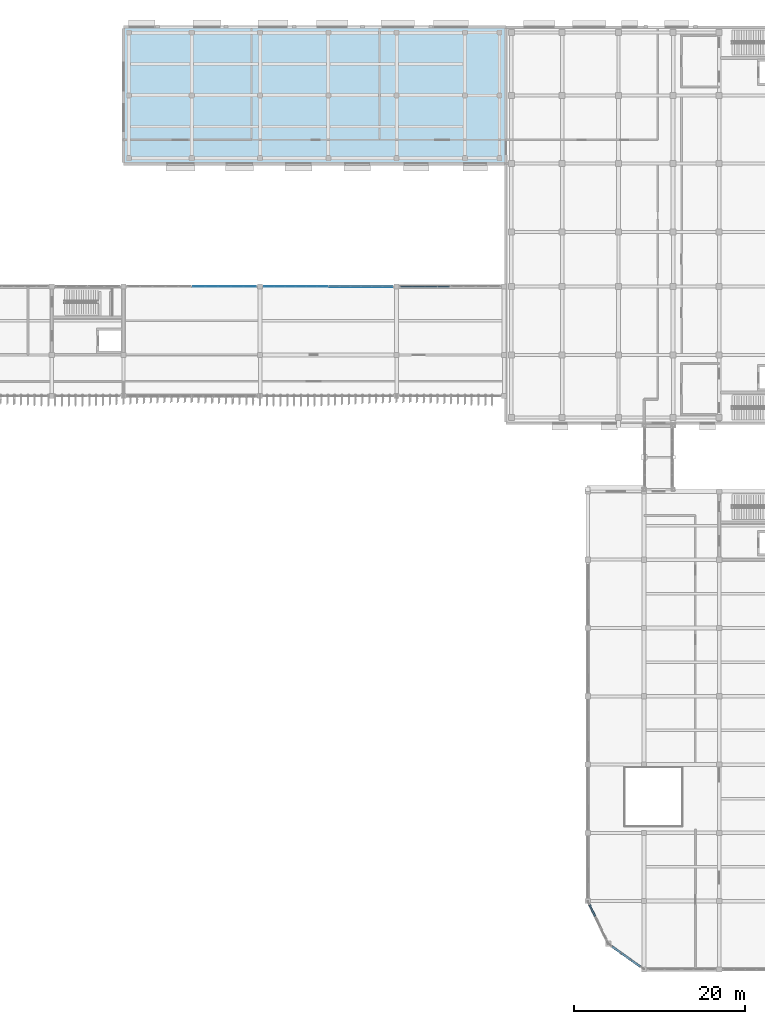
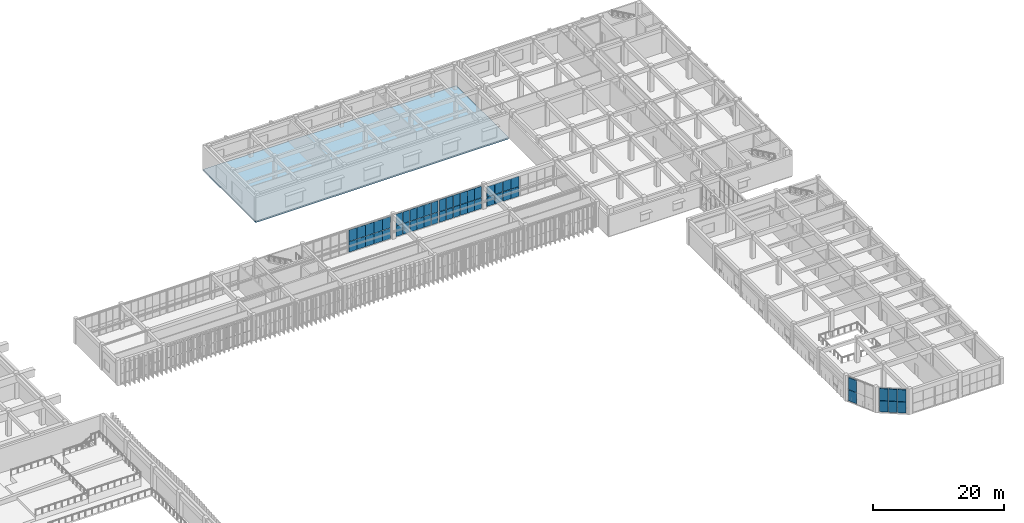
# One storey, part 33 of 64: 50 plates, 1 slab, 6 elements without a shape of their own.
"""IFC4 building model written with IfcOpenShell, lengths in metres."""

from ifc_helpers import new_model, si_unit, direction, frame, origin, origin_2d, place, context, subcontext, project, spatial, polyline, rectangle, outline, extrude, material, layer, layer_set, type_object, element, aggregate, save


model = new_model("IFC4")

# Units and contexts
model_context = context("Model", 3, precision=1e-05, world=origin(), true_north=direction((0.0, 1.0)))
body_context = subcontext(model_context, "Body", "Model", "MODEL_VIEW")
ifc_project = project(units=[si_unit("LENGTHUNIT", "METRE"), si_unit("AREAUNIT", "SQUARE_METRE"), si_unit("VOLUMEUNIT", "CUBIC_METRE"), si_unit("PLANEANGLEUNIT", "RADIAN"), si_unit("MASSUNIT", "GRAM", prefix="KILO")], contexts=[model_context])

# Site, building, storey
site_placement = place(None, origin())
site = spatial("IfcSite", under=ifc_project, at=site_placement, CompositionType="ELEMENT")
building_placement = place(site_placement, origin())
building = spatial("IfcBuilding", under=site, at=building_placement, Name="Cinchona Park Media Centre", CompositionType="ELEMENT")
storey_placement = place(building_placement, frame((0.0, 0.0, 5.39990234375)))
storey = spatial("IfcBuildingStorey", under=building, at=storey_placement, Name="L01", CompositionType="ELEMENT", Elevation=5.39990234375)

# Curtain wall, plates
ifc_material_1 = material(Name="Aluminium Curtain Wall Framing", Category="aluminium")
ifc_layer_1 = layer(ifc_material_1, 0.300048828125)
ifc_layer_set_1 = layer_set([ifc_layer_1], Name="Aluminium Curtain Wall Framing")
curtain_wall_type_1 = type_object("IfcCurtainWallType", Name="CW-CW09", PredefinedType="USERDEFINED", material=ifc_layer_set_1)
curtain_wall_1_placement = place(storey_placement, origin())
curtain_wall_1 = element("IfcCurtainWall", 1, at=curtain_wall_1_placement, inside=storey, type_object=curtain_wall_type_1, Name="Curtain Wall CW09 L01", ObjectType="UNITISED CURTAIN WALL", PredefinedType="USERDEFINED")
ifc_material_2 = material(Name="Laminated Solar-Control Double Glazing", Category="glass")
ifc_layer_2 = layer(ifc_material_2, 0.080078125)
ifc_layer_set_2 = layer_set([ifc_layer_2], Name="Laminated Solar-Control Double Glazing")
plate_type_1 = type_object("IfcPlateType", Name="CWPANEL-PNL07", PredefinedType="CURTAIN_PANEL", material=ifc_layer_set_2)
plate_1_placement = place(storey_placement, frame((103.6474609375, 87.60009765625, 0.1201171875), z_axis=(0.0, 0.0, 1.0), x_axis=(1.0, 0.0, 0.0)))
plate_1 = element("IfcPlate", 2, at=plate_1_placement, type_object=plate_type_1, Name="CW09 panel 1.1", PredefinedType="CURTAIN_PANEL", context=body_context, shape_type="SweptSolid", body=[
    extrude(rectangle(XDim=1.39501953125, YDim=0.080078125, at=origin_2d()), origin(), (0.0, 0.0, 1.0), 1.928955078125),
])
plate_2_placement = place(storey_placement, frame((103.6474609375, 87.60009765625, 2.119140625), z_axis=(0.0, 0.0, 1.0), x_axis=(1.0, 0.0, 0.0)))
plate_2 = element("IfcPlate", 3, at=plate_2_placement, type_object=plate_type_1, Name="CW09 panel 1.2", PredefinedType="CURTAIN_PANEL", context=body_context, shape_type="SweptSolid", body=[
    extrude(rectangle(XDim=1.39501953125, YDim=0.080078125, at=origin_2d()), origin(), (0.0, 0.0, 1.0), 2.09912109375),
])
plate_3_placement = place(storey_placement, frame((105.1298828125, 87.60009765625, 0.1201171875), z_axis=(0.0, 0.0, 1.0), x_axis=(1.0, 0.0, 0.0)))
plate_3 = element("IfcPlate", 4, at=plate_3_placement, type_object=plate_type_1, Name="CW09 panel 2.1", PredefinedType="CURTAIN_PANEL", context=body_context, shape_type="SweptSolid", body=[
    extrude(rectangle(XDim=1.429931640625, YDim=0.080078125, at=origin_2d()), origin(), (0.0, 0.0, 1.0), 1.928955078125),
])
plate_4_placement = place(storey_placement, frame((105.1298828125, 87.60009765625, 2.119140625), z_axis=(0.0, 0.0, 1.0), x_axis=(1.0, 0.0, 0.0)))
plate_4 = element("IfcPlate", 5, at=plate_4_placement, type_object=plate_type_1, Name="CW09 panel 2.2", PredefinedType="CURTAIN_PANEL", context=body_context, shape_type="SweptSolid", body=[
    extrude(rectangle(XDim=1.429931640625, YDim=0.080078125, at=origin_2d()), origin(), (0.0, 0.0, 1.0), 2.09912109375),
])
plate_5_placement = place(storey_placement, frame((106.6298828125, 87.60009765625, 0.1201171875), z_axis=(0.0, 0.0, 1.0), x_axis=(1.0, 0.0, 0.0)))
plate_5 = element("IfcPlate", 6, at=plate_5_placement, type_object=plate_type_1, Name="CW09 panel 3.1", PredefinedType="CURTAIN_PANEL", context=body_context, shape_type="SweptSolid", body=[
    extrude(rectangle(XDim=1.429931640625, YDim=0.080078125, at=origin_2d()), origin(), (0.0, 0.0, 1.0), 1.928955078125),
])
plate_6_placement = place(storey_placement, frame((106.6298828125, 87.60009765625, 2.119140625), z_axis=(0.0, 0.0, 1.0), x_axis=(1.0, 0.0, 0.0)))
plate_6 = element("IfcPlate", 7, at=plate_6_placement, type_object=plate_type_1, Name="CW09 panel 3.2", PredefinedType="CURTAIN_PANEL", context=body_context, shape_type="SweptSolid", body=[
    extrude(rectangle(XDim=1.429931640625, YDim=0.080078125, at=origin_2d()), origin(), (0.0, 0.0, 1.0), 2.09912109375),
])
plate_7_placement = place(storey_placement, frame((108.1298828125, 87.60009765625, 0.1201171875), z_axis=(0.0, 0.0, 1.0), x_axis=(1.0, 0.0, 0.0)))
plate_7 = element("IfcPlate", 8, at=plate_7_placement, type_object=plate_type_1, Name="CW09 panel 4.1", PredefinedType="CURTAIN_PANEL", context=body_context, shape_type="SweptSolid", body=[
    extrude(rectangle(XDim=1.429931640625, YDim=0.080078125, at=origin_2d()), origin(), (0.0, 0.0, 1.0), 1.928955078125),
])
plate_8_placement = place(storey_placement, frame((108.1298828125, 87.60009765625, 2.119140625), z_axis=(0.0, 0.0, 1.0), x_axis=(1.0, 0.0, 0.0)))
plate_8 = element("IfcPlate", 9, at=plate_8_placement, type_object=plate_type_1, Name="CW09 panel 4.2", PredefinedType="CURTAIN_PANEL", context=body_context, shape_type="SweptSolid", body=[
    extrude(rectangle(XDim=1.429931640625, YDim=0.080078125, at=origin_2d()), origin(), (0.0, 0.0, 1.0), 2.09912109375),
])
plate_9_placement = place(storey_placement, frame((109.612548828125, 87.60009765625, 0.1201171875), z_axis=(0.0, 0.0, 1.0), x_axis=(1.0, 0.0, 0.0)))
plate_9 = element("IfcPlate", 10, at=plate_9_placement, type_object=plate_type_1, Name="CW09 panel 5.1", PredefinedType="CURTAIN_PANEL", context=body_context, shape_type="SweptSolid", body=[
    extrude(rectangle(XDim=1.39501953125, YDim=0.080078125, at=origin_2d()), origin(), (0.0, 0.0, 1.0), 1.928955078125),
])
plate_10_placement = place(storey_placement, frame((109.612548828125, 87.60009765625, 2.119140625), z_axis=(0.0, 0.0, 1.0), x_axis=(1.0, 0.0, 0.0)))
plate_10 = element("IfcPlate", 11, at=plate_10_placement, type_object=plate_type_1, Name="CW09 panel 5.2", PredefinedType="CURTAIN_PANEL", context=body_context, shape_type="SweptSolid", body=[
    extrude(rectangle(XDim=1.39501953125, YDim=0.080078125, at=origin_2d()), origin(), (0.0, 0.0, 1.0), 2.09912109375),
])
aggregate(curtain_wall_1, [plate_1, plate_2, plate_3, plate_4, plate_5, plate_6, plate_7, plate_8, plate_9, plate_10])

ifc_material_3 = material(Name="Aluminium Curtain Wall Framing", Category="aluminium")
ifc_layer_3 = layer(ifc_material_3, 0.179931640625)
ifc_layer_set_3 = layer_set([ifc_layer_3], Name="Aluminium Curtain Wall Framing")
curtain_wall_type_2 = type_object("IfcCurtainWallType", Name="CW-CW01", PredefinedType="USERDEFINED", material=ifc_layer_set_3)
curtain_wall_2_placement = place(storey_placement, origin())
curtain_wall_2 = element("IfcCurtainWall", 12, at=curtain_wall_2_placement, inside=storey, type_object=curtain_wall_type_2, Name="Curtain Wall CW01 L01", ObjectType="UNITISED CURTAIN WALL", PredefinedType="USERDEFINED")
ifc_material_4 = material(Name="Insulated Acoustic Aluminium-Glass Spandrel Cassette", Category="aluminium")
ifc_layer_4 = layer(ifc_material_4, 0.090087890625)
ifc_layer_set_4 = layer_set([ifc_layer_4], Name="Insulated Acoustic Aluminium-Glass Spandrel Cassette")
plate_type_2 = type_object("IfcPlateType", Name="CWPANEL-PNL08", PredefinedType="CURTAIN_PANEL", material=ifc_layer_set_4)
plate_11_placement = place(storey_placement, frame((111.861328125, 87.60009765625, 0.115234375), z_axis=(0.0, 0.0, 1.0), x_axis=(1.0, 0.0, 0.0)))
plate_11 = element("IfcPlate", 13, at=plate_11_placement, type_object=plate_type_2, Name="CW01 panel 1.1", PredefinedType="CURTAIN_PANEL", context=body_context, shape_type="SweptSolid", body=[
    extrude(rectangle(XDim=1.152587890625, YDim=0.090087890625, at=origin_2d()), origin(), (0.0, 0.0, 1.0), 1.96044921875),
])
plate_12_placement = place(storey_placement, frame((111.861328125, 87.60009765625, 2.140625), z_axis=(0.0, 0.0, 1.0), x_axis=(1.0, 0.0, 0.0)))
plate_12 = element("IfcPlate", 14, at=plate_12_placement, type_object=plate_type_2, Name="CW01 panel 1.2", PredefinedType="CURTAIN_PANEL", context=body_context, shape_type="SweptSolid", body=[
    extrude(rectangle(XDim=1.152587890625, YDim=0.090087890625, at=origin_2d()), origin(), (0.0, 0.0, 1.0), 2.131591796875),
])
plate_13_placement = place(storey_placement, frame((113.094970703125, 87.60009765625, 0.115234375), z_axis=(0.0, 0.0, 1.0), x_axis=(1.0, 0.0, 0.0)))
plate_13 = element("IfcPlate", 15, at=plate_13_placement, type_object=plate_type_2, Name="CW01 panel 2.1", PredefinedType="CURTAIN_PANEL", context=body_context, shape_type="SweptSolid", body=[
    extrude(rectangle(XDim=1.18505859375, YDim=0.090087890625, at=origin_2d()), origin(), (0.0, 0.0, 1.0), 1.96044921875),
])
plate_14_placement = place(storey_placement, frame((113.094970703125, 87.60009765625, 2.140625), z_axis=(0.0, 0.0, 1.0), x_axis=(1.0, 0.0, 0.0)))
plate_14 = element("IfcPlate", 16, at=plate_14_placement, type_object=plate_type_2, Name="CW01 panel 2.2", PredefinedType="CURTAIN_PANEL", context=body_context, shape_type="SweptSolid", body=[
    extrude(rectangle(XDim=1.18505859375, YDim=0.090087890625, at=origin_2d()), origin(), (0.0, 0.0, 1.0), 2.131591796875),
])
plate_15_placement = place(storey_placement, frame((114.344970703125, 87.60009765625, 0.115234375), z_axis=(0.0, 0.0, 1.0), x_axis=(1.0, 0.0, 0.0)))
plate_15 = element("IfcPlate", 17, at=plate_15_placement, type_object=plate_type_2, Name="CW01 panel 3.1", PredefinedType="CURTAIN_PANEL", context=body_context, shape_type="SweptSolid", body=[
    extrude(rectangle(XDim=1.18505859375, YDim=0.090087890625, at=origin_2d()), origin(), (0.0, 0.0, 1.0), 1.96044921875),
])
plate_16_placement = place(storey_placement, frame((114.344970703125, 87.60009765625, 2.140625), z_axis=(0.0, 0.0, 1.0), x_axis=(1.0, 0.0, 0.0)))
plate_16 = element("IfcPlate", 18, at=plate_16_placement, type_object=plate_type_2, Name="CW01 panel 3.2", PredefinedType="CURTAIN_PANEL", context=body_context, shape_type="SweptSolid", body=[
    extrude(rectangle(XDim=1.18505859375, YDim=0.090087890625, at=origin_2d()), origin(), (0.0, 0.0, 1.0), 2.131591796875),
])
plate_17_placement = place(storey_placement, frame((115.594970703125, 87.60009765625, 0.115234375), z_axis=(0.0, 0.0, 1.0), x_axis=(1.0, 0.0, 0.0)))
plate_17 = element("IfcPlate", 19, at=plate_17_placement, type_object=plate_type_2, Name="CW01 panel 4.1", PredefinedType="CURTAIN_PANEL", context=body_context, shape_type="SweptSolid", body=[
    extrude(rectangle(XDim=1.18505859375, YDim=0.090087890625, at=origin_2d()), origin(), (0.0, 0.0, 1.0), 1.96044921875),
])
plate_18_placement = place(storey_placement, frame((115.594970703125, 87.60009765625, 2.140625), z_axis=(0.0, 0.0, 1.0), x_axis=(1.0, 0.0, 0.0)))
plate_18 = element("IfcPlate", 20, at=plate_18_placement, type_object=plate_type_2, Name="CW01 panel 4.2", PredefinedType="CURTAIN_PANEL", context=body_context, shape_type="SweptSolid", body=[
    extrude(rectangle(XDim=1.18505859375, YDim=0.090087890625, at=origin_2d()), origin(), (0.0, 0.0, 1.0), 2.131591796875),
])
plate_19_placement = place(storey_placement, frame((116.844970703125, 87.60009765625, 0.115234375), z_axis=(0.0, 0.0, 1.0), x_axis=(1.0, 0.0, 0.0)))
plate_19 = element("IfcPlate", 21, at=plate_19_placement, type_object=plate_type_2, Name="CW01 panel 5.1", PredefinedType="CURTAIN_PANEL", context=body_context, shape_type="SweptSolid", body=[
    extrude(rectangle(XDim=1.18505859375, YDim=0.090087890625, at=origin_2d()), origin(), (0.0, 0.0, 1.0), 1.96044921875),
])
plate_20_placement = place(storey_placement, frame((116.844970703125, 87.60009765625, 2.140625), z_axis=(0.0, 0.0, 1.0), x_axis=(1.0, 0.0, 0.0)))
plate_20 = element("IfcPlate", 22, at=plate_20_placement, type_object=plate_type_2, Name="CW01 panel 5.2", PredefinedType="CURTAIN_PANEL", context=body_context, shape_type="SweptSolid", body=[
    extrude(rectangle(XDim=1.18505859375, YDim=0.090087890625, at=origin_2d()), origin(), (0.0, 0.0, 1.0), 2.131591796875),
])
plate_21_placement = place(storey_placement, frame((118.078857421875, 87.60009765625, 0.115234375), z_axis=(0.0, 0.0, 1.0), x_axis=(1.0, 0.0, 0.0)))
plate_21 = element("IfcPlate", 23, at=plate_21_placement, type_object=plate_type_2, Name="CW01 panel 6.1", PredefinedType="CURTAIN_PANEL", context=body_context, shape_type="SweptSolid", body=[
    extrude(rectangle(XDim=1.152587890625, YDim=0.090087890625, at=origin_2d()), origin(), (0.0, 0.0, 1.0), 1.96044921875),
])
plate_22_placement = place(storey_placement, frame((118.078857421875, 87.60009765625, 2.140625), z_axis=(0.0, 0.0, 1.0), x_axis=(1.0, 0.0, 0.0)))
plate_22 = element("IfcPlate", 24, at=plate_22_placement, type_object=plate_type_2, Name="CW01 panel 6.2", PredefinedType="CURTAIN_PANEL", context=body_context, shape_type="SweptSolid", body=[
    extrude(rectangle(XDim=1.152587890625, YDim=0.090087890625, at=origin_2d()), origin(), (0.0, 0.0, 1.0), 2.131591796875),
])
aggregate(curtain_wall_2, [plate_11, plate_12, plate_13, plate_14, plate_15, plate_16, plate_17, plate_18, plate_19, plate_20, plate_21, plate_22])

ifc_material_5 = material(Name="Aluminium Curtain Wall Framing", Category="aluminium")
ifc_layer_5 = layer(ifc_material_5, 0.195068359375)
ifc_layer_set_5 = layer_set([ifc_layer_5], Name="Aluminium Curtain Wall Framing")
curtain_wall_type_3 = type_object("IfcCurtainWallType", Name="CW-CW02", PredefinedType="USERDEFINED", material=ifc_layer_set_5)
curtain_wall_3_placement = place(storey_placement, origin())
curtain_wall_3 = element("IfcCurtainWall", 25, at=curtain_wall_3_placement, inside=storey, type_object=curtain_wall_type_3, Name="Curtain Wall CW02 L01", ObjectType="UNITISED CURTAIN WALL", PredefinedType="USERDEFINED")
ifc_material_6 = material(Name="Insulated Acoustic Aluminium-Glass Spandrel Cassette", Category="aluminium")
ifc_layer_6 = layer(ifc_material_6, 0.110107421875)
ifc_layer_set_6 = layer_set([ifc_layer_6], Name="Insulated Acoustic Aluminium-Glass Spandrel Cassette")
plate_type_3 = type_object("IfcPlateType", Name="CWPANEL-PNL10", PredefinedType="CURTAIN_PANEL", material=ifc_layer_set_6)
plate_23_placement = place(storey_placement, frame((119.521240234375, 87.60009765625, 0.115234375), z_axis=(0.0, 0.0, 1.0), x_axis=(1.0, 0.0, 0.0)))
plate_23 = element("IfcPlate", 26, at=plate_23_placement, type_object=plate_type_3, Name="CW02 panel 1.1", PredefinedType="CURTAIN_PANEL", context=body_context, shape_type="SweptSolid", body=[
    extrude(rectangle(XDim=1.152587890625, YDim=0.110107421875, at=origin_2d()), origin(), (0.0, 0.0, 1.0), 1.96044921875),
])
plate_24_placement = place(storey_placement, frame((119.521240234375, 87.60009765625, 2.140625), z_axis=(0.0, 0.0, 1.0), x_axis=(1.0, 0.0, 0.0)))
plate_24 = element("IfcPlate", 27, at=plate_24_placement, type_object=plate_type_3, Name="CW02 panel 1.2", PredefinedType="CURTAIN_PANEL", context=body_context, shape_type="SweptSolid", body=[
    extrude(rectangle(XDim=1.152587890625, YDim=0.110107421875, at=origin_2d()), origin(), (0.0, 0.0, 1.0), 2.131591796875),
])
plate_25_placement = place(storey_placement, frame((120.7548828125, 87.60009765625, 0.115234375), z_axis=(0.0, 0.0, 1.0), x_axis=(1.0, 0.0, 0.0)))
plate_25 = element("IfcPlate", 28, at=plate_25_placement, type_object=plate_type_3, Name="CW02 panel 2.1", PredefinedType="CURTAIN_PANEL", context=body_context, shape_type="SweptSolid", body=[
    extrude(rectangle(XDim=1.18505859375, YDim=0.110107421875, at=origin_2d()), origin(), (0.0, 0.0, 1.0), 1.96044921875),
])
plate_26_placement = place(storey_placement, frame((120.7548828125, 87.60009765625, 2.140625), z_axis=(0.0, 0.0, 1.0), x_axis=(1.0, 0.0, 0.0)))
plate_26 = element("IfcPlate", 29, at=plate_26_placement, type_object=plate_type_3, Name="CW02 panel 2.2", PredefinedType="CURTAIN_PANEL", context=body_context, shape_type="SweptSolid", body=[
    extrude(rectangle(XDim=1.18505859375, YDim=0.110107421875, at=origin_2d()), origin(), (0.0, 0.0, 1.0), 2.131591796875),
])
plate_27_placement = place(storey_placement, frame((122.0048828125, 87.60009765625, 0.115234375), z_axis=(0.0, 0.0, 1.0), x_axis=(1.0, 0.0, 0.0)))
plate_27 = element("IfcPlate", 30, at=plate_27_placement, type_object=plate_type_3, Name="CW02 panel 3.1", PredefinedType="CURTAIN_PANEL", context=body_context, shape_type="SweptSolid", body=[
    extrude(rectangle(XDim=1.18505859375, YDim=0.110107421875, at=origin_2d()), origin(), (0.0, 0.0, 1.0), 1.96044921875),
])
plate_28_placement = place(storey_placement, frame((122.0048828125, 87.60009765625, 2.140625), z_axis=(0.0, 0.0, 1.0), x_axis=(1.0, 0.0, 0.0)))
plate_28 = element("IfcPlate", 31, at=plate_28_placement, type_object=plate_type_3, Name="CW02 panel 3.2", PredefinedType="CURTAIN_PANEL", context=body_context, shape_type="SweptSolid", body=[
    extrude(rectangle(XDim=1.18505859375, YDim=0.110107421875, at=origin_2d()), origin(), (0.0, 0.0, 1.0), 2.131591796875),
])
plate_29_placement = place(storey_placement, frame((123.2548828125, 87.60009765625, 0.115234375), z_axis=(0.0, 0.0, 1.0), x_axis=(1.0, 0.0, 0.0)))
plate_29 = element("IfcPlate", 32, at=plate_29_placement, type_object=plate_type_3, Name="CW02 panel 4.1", PredefinedType="CURTAIN_PANEL", context=body_context, shape_type="SweptSolid", body=[
    extrude(rectangle(XDim=1.18505859375, YDim=0.110107421875, at=origin_2d()), origin(), (0.0, 0.0, 1.0), 1.96044921875),
])
plate_30_placement = place(storey_placement, frame((123.2548828125, 87.60009765625, 2.140625), z_axis=(0.0, 0.0, 1.0), x_axis=(1.0, 0.0, 0.0)))
plate_30 = element("IfcPlate", 33, at=plate_30_placement, type_object=plate_type_3, Name="CW02 panel 4.2", PredefinedType="CURTAIN_PANEL", context=body_context, shape_type="SweptSolid", body=[
    extrude(rectangle(XDim=1.18505859375, YDim=0.110107421875, at=origin_2d()), origin(), (0.0, 0.0, 1.0), 2.131591796875),
])
plate_31_placement = place(storey_placement, frame((124.5048828125, 87.60009765625, 0.115234375), z_axis=(0.0, 0.0, 1.0), x_axis=(1.0, 0.0, 0.0)))
plate_31 = element("IfcPlate", 34, at=plate_31_placement, type_object=plate_type_3, Name="CW02 panel 5.1", PredefinedType="CURTAIN_PANEL", context=body_context, shape_type="SweptSolid", body=[
    extrude(rectangle(XDim=1.18505859375, YDim=0.110107421875, at=origin_2d()), origin(), (0.0, 0.0, 1.0), 1.96044921875),
])
plate_32_placement = place(storey_placement, frame((124.5048828125, 87.60009765625, 2.140625), z_axis=(0.0, 0.0, 1.0), x_axis=(1.0, 0.0, 0.0)))
plate_32 = element("IfcPlate", 35, at=plate_32_placement, type_object=plate_type_3, Name="CW02 panel 5.2", PredefinedType="CURTAIN_PANEL", context=body_context, shape_type="SweptSolid", body=[
    extrude(rectangle(XDim=1.18505859375, YDim=0.110107421875, at=origin_2d()), origin(), (0.0, 0.0, 1.0), 2.131591796875),
])
plate_33_placement = place(storey_placement, frame((125.73876953125, 87.60009765625, 0.115234375), z_axis=(0.0, 0.0, 1.0), x_axis=(1.0, 0.0, 0.0)))
plate_33 = element("IfcPlate", 36, at=plate_33_placement, type_object=plate_type_3, Name="CW02 panel 6.1", PredefinedType="CURTAIN_PANEL", context=body_context, shape_type="SweptSolid", body=[
    extrude(rectangle(XDim=1.152587890625, YDim=0.110107421875, at=origin_2d()), origin(), (0.0, 0.0, 1.0), 1.96044921875),
])
plate_34_placement = place(storey_placement, frame((125.73876953125, 87.60009765625, 2.140625), z_axis=(0.0, 0.0, 1.0), x_axis=(1.0, 0.0, 0.0)))
plate_34 = element("IfcPlate", 37, at=plate_34_placement, type_object=plate_type_3, Name="CW02 panel 6.2", PredefinedType="CURTAIN_PANEL", context=body_context, shape_type="SweptSolid", body=[
    extrude(rectangle(XDim=1.152587890625, YDim=0.110107421875, at=origin_2d()), origin(), (0.0, 0.0, 1.0), 2.131591796875),
])
aggregate(curtain_wall_3, [plate_23, plate_24, plate_25, plate_26, plate_27, plate_28, plate_29, plate_30, plate_31, plate_32, plate_33, plate_34])

ifc_material_7 = material(Name="Aluminium Curtain Wall Framing", Category="aluminium")
ifc_layer_7 = layer(ifc_material_7, 0.2099609375)
ifc_layer_set_7 = layer_set([ifc_layer_7], Name="Aluminium Curtain Wall Framing")
curtain_wall_type_4 = type_object("IfcCurtainWallType", Name="CW-CW03", PredefinedType="USERDEFINED", material=ifc_layer_set_7)
curtain_wall_4_placement = place(storey_placement, origin())
curtain_wall_4 = element("IfcCurtainWall", 38, at=curtain_wall_4_placement, inside=storey, type_object=curtain_wall_type_4, Name="Curtain Wall CW03 L01", ObjectType="UNITISED CURTAIN WALL", PredefinedType="USERDEFINED")
ifc_material_8 = material(Name="Insulated Acoustic Aluminium-Glass Spandrel Cassette", Category="aluminium")
ifc_layer_8 = layer(ifc_material_8, 0.1201171875)
ifc_layer_set_8 = layer_set([ifc_layer_8], Name="Insulated Acoustic Aluminium-Glass Spandrel Cassette")
plate_type_4 = type_object("IfcPlateType", Name="CWPANEL-PNL11", PredefinedType="CURTAIN_PANEL", material=ifc_layer_set_8)
plate_35_placement = place(storey_placement, frame((127.9638671875, 87.60009765625, 0.125), z_axis=(0.0, 0.0, 1.0), x_axis=(1.0, 0.0, 0.0)))
plate_35 = element("IfcPlate", 39, at=plate_35_placement, type_object=plate_type_4, Name="CW03 panel 1.1", PredefinedType="CURTAIN_PANEL", context=body_context, shape_type="SweptSolid", body=[
    extrude(rectangle(XDim=1.33740234375, YDim=0.1201171875, at=origin_2d()), origin(), (0.0, 0.0, 1.0), 1.73046875),
])
plate_36_placement = place(storey_placement, frame((127.9638671875, 87.60009765625, 1.9306640625), z_axis=(0.0, 0.0, 1.0), x_axis=(1.0, 0.0, 0.0)))
plate_36 = element("IfcPlate", 40, at=plate_36_placement, type_object=plate_type_4, Name="CW03 panel 1.2", PredefinedType="CURTAIN_PANEL", context=body_context, shape_type="SweptSolid", body=[
    extrude(rectangle(XDim=1.33740234375, YDim=0.1201171875, at=origin_2d()), origin(), (0.0, 0.0, 1.0), 1.884521484375),
])
plate_37_placement = place(storey_placement, frame((129.39501953125, 87.60009765625, 0.125), z_axis=(0.0, 0.0, 1.0), x_axis=(1.0, 0.0, 0.0)))
plate_37 = element("IfcPlate", 41, at=plate_37_placement, type_object=plate_type_4, Name="CW03 panel 2.1", PredefinedType="CURTAIN_PANEL", context=body_context, shape_type="SweptSolid", body=[
    extrude(rectangle(XDim=1.375, YDim=0.1201171875, at=origin_2d()), origin(), (0.0, 0.0, 1.0), 1.73046875),
])
plate_38_placement = place(storey_placement, frame((129.39501953125, 87.60009765625, 1.9306640625), z_axis=(0.0, 0.0, 1.0), x_axis=(1.0, 0.0, 0.0)))
plate_38 = element("IfcPlate", 42, at=plate_38_placement, type_object=plate_type_4, Name="CW03 panel 2.2", PredefinedType="CURTAIN_PANEL", context=body_context, shape_type="SweptSolid", body=[
    extrude(rectangle(XDim=1.375, YDim=0.1201171875, at=origin_2d()), origin(), (0.0, 0.0, 1.0), 1.884521484375),
])
plate_39_placement = place(storey_placement, frame((130.844970703125, 87.60009765625, 0.125), z_axis=(0.0, 0.0, 1.0), x_axis=(1.0, 0.0, 0.0)))
plate_39 = element("IfcPlate", 43, at=plate_39_placement, type_object=plate_type_4, Name="CW03 panel 3.1", PredefinedType="CURTAIN_PANEL", context=body_context, shape_type="SweptSolid", body=[
    extrude(rectangle(XDim=1.375, YDim=0.1201171875, at=origin_2d()), origin(), (0.0, 0.0, 1.0), 1.73046875),
])
plate_40_placement = place(storey_placement, frame((130.844970703125, 87.60009765625, 1.9306640625), z_axis=(0.0, 0.0, 1.0), x_axis=(1.0, 0.0, 0.0)))
plate_40 = element("IfcPlate", 44, at=plate_40_placement, type_object=plate_type_4, Name="CW03 panel 3.2", PredefinedType="CURTAIN_PANEL", context=body_context, shape_type="SweptSolid", body=[
    extrude(rectangle(XDim=1.375, YDim=0.1201171875, at=origin_2d()), origin(), (0.0, 0.0, 1.0), 1.884521484375),
])
plate_41_placement = place(storey_placement, frame((132.2763671875, 87.60009765625, 0.125), z_axis=(0.0, 0.0, 1.0), x_axis=(1.0, 0.0, 0.0)))
plate_41 = element("IfcPlate", 45, at=plate_41_placement, type_object=plate_type_4, Name="CW03 panel 4.1", PredefinedType="CURTAIN_PANEL", context=body_context, shape_type="SweptSolid", body=[
    extrude(rectangle(XDim=1.33740234375, YDim=0.1201171875, at=origin_2d()), origin(), (0.0, 0.0, 1.0), 1.73046875),
])
plate_42_placement = place(storey_placement, frame((132.2763671875, 87.60009765625, 1.9306640625), z_axis=(0.0, 0.0, 1.0), x_axis=(1.0, 0.0, 0.0)))
plate_42 = element("IfcPlate", 46, at=plate_42_placement, type_object=plate_type_4, Name="CW03 panel 4.2", PredefinedType="CURTAIN_PANEL", context=body_context, shape_type="SweptSolid", body=[
    extrude(rectangle(XDim=1.33740234375, YDim=0.1201171875, at=origin_2d()), origin(), (0.0, 0.0, 1.0), 1.884521484375),
])
aggregate(curtain_wall_4, [plate_35, plate_36, plate_37, plate_38, plate_39, plate_40, plate_41, plate_42])

ifc_material_9 = material(Name="Aluminium Curtain Wall Framing", Category="aluminium")
ifc_layer_9 = layer(ifc_material_9, 0.27001953125)
ifc_layer_set_9 = layer_set([ifc_layer_9], Name="Aluminium Curtain Wall Framing")
curtain_wall_type_5 = type_object("IfcCurtainWallType", Name="CW-CW07", PredefinedType="USERDEFINED", material=ifc_layer_set_9)
curtain_wall_5_placement = place(storey_placement, origin())
curtain_wall_5 = element("IfcCurtainWall", 47, at=curtain_wall_5_placement, inside=storey, type_object=curtain_wall_type_5, Name="Curtain Wall CW07 L01", ObjectType="UNITISED CURTAIN WALL", PredefinedType="USERDEFINED")
ifc_material_10 = material(Name="Insulated Acoustic Aluminium-Glass Spandrel Cassette", Category="aluminium")
ifc_layer_10 = layer(ifc_material_10, 0.2099609375)
ifc_layer_set_10 = layer_set([ifc_layer_10], Name="Insulated Acoustic Aluminium-Glass Spandrel Cassette")
plate_type_5 = type_object("IfcPlateType", Name="CWPANEL-PNL20", PredefinedType="CURTAIN_PANEL", material=ifc_layer_set_10)
plate_43_placement = place(storey_placement, frame((149.73974609375, 14.475341796875, 0.115234375), z_axis=(0.0, 0.0, 1.0), x_axis=(-0.432801347319, 0.901489319825, 0.0)))
plate_43 = element("IfcPlate", 48, at=plate_43_placement, type_object=plate_type_5, Name="CW07 panel 3.1", PredefinedType="CURTAIN_PANEL", context=body_context, shape_type="SweptSolid", body=[
    extrude(rectangle(XDim=1.4443359375, YDim=0.2099609375, at=origin_2d()), origin(), (0.0, 0.0, 1.0), 2.048583984375),
])
plate_44_placement = place(storey_placement, frame((149.73974609375, 14.475341796875, 2.228515625), z_axis=(0.0, 0.0, 1.0), x_axis=(-0.432801347319, 0.901489319825, 0.0)))
plate_44 = element("IfcPlate", 49, at=plate_44_placement, type_object=plate_type_5, Name="CW07 panel 3.2", PredefinedType="CURTAIN_PANEL", context=body_context, shape_type="SweptSolid", body=[
    extrude(rectangle(XDim=1.4443359375, YDim=0.2099609375, at=origin_2d()), origin(), (0.0, 0.0, 1.0), 2.2265625),
])
aggregate(curtain_wall_5, [plate_43, plate_44])

curtain_wall_6_placement = place(storey_placement, origin())
curtain_wall_6 = element("IfcCurtainWall", 50, at=curtain_wall_6_placement, inside=storey, type_object=curtain_wall_type_3, Name="Curtain Wall CW02 L01", ObjectType="UNITISED CURTAIN WALL", PredefinedType="USERDEFINED")
ifc_material_11 = material(Name="Insulated Acoustic Aluminium-Glass Spandrel Cassette", Category="aluminium")
ifc_layer_11 = layer(ifc_material_11, 0.25)
ifc_layer_set_11 = layer_set([ifc_layer_11], Name="Insulated Acoustic Aluminium-Glass Spandrel Cassette")
plate_type_6 = type_object("IfcPlateType", Name="CWPANEL-PNL24", PredefinedType="CURTAIN_PANEL", material=ifc_layer_set_11)
plate_45_placement = place(storey_placement, frame((154.82568359375, 8.29541015625, 0.1201171875), z_axis=(0.0, 0.0, 1.0), x_axis=(-0.813604858776, 0.581418209016, 0.0)))
plate_45 = element("IfcPlate", 51, at=plate_45_placement, type_object=plate_type_6, Name="CW02 panel 1.1", PredefinedType="CURTAIN_PANEL", context=body_context, shape_type="SweptSolid", body=[
    extrude(rectangle(XDim=1.296142578125, YDim=0.25, at=origin_2d()), origin(), (0.0, 0.0, 1.0), 2.041015625),
])
plate_46_placement = place(storey_placement, frame((154.82568359375, 8.29541015625, 2.23095703125), z_axis=(0.0, 0.0, 1.0), x_axis=(-0.813604858776, 0.581418209016, 0.0)))
plate_46 = element("IfcPlate", 52, at=plate_46_placement, type_object=plate_type_6, Name="CW02 panel 1.2", PredefinedType="CURTAIN_PANEL", context=body_context, shape_type="SweptSolid", body=[
    extrude(rectangle(XDim=1.296142578125, YDim=0.25, at=origin_2d()), origin(), (0.0, 0.0, 1.0), 2.218994140625),
])
plate_47_placement = place(storey_placement, frame((153.699951171875, 9.10009765625, 0.1201171875), z_axis=(0.0, 0.0, 1.0), x_axis=(-0.813604858776, 0.581418209016, 0.0)))
plate_47 = element("IfcPlate", 53, at=plate_47_placement, type_object=plate_type_6, Name="CW02 panel 2.1", PredefinedType="CURTAIN_PANEL", context=body_context, shape_type="SweptSolid", body=[
    extrude(rectangle(XDim=1.3310546875, YDim=0.25, at=origin_2d()), origin(), (0.0, 0.0, 1.0), 2.041015625),
])
plate_48_placement = place(storey_placement, frame((153.699951171875, 9.10009765625, 2.23095703125), z_axis=(0.0, 0.0, 1.0), x_axis=(-0.813604858776, 0.581418209016, 0.0)))
plate_48 = element("IfcPlate", 54, at=plate_48_placement, type_object=plate_type_6, Name="CW02 panel 2.2", PredefinedType="CURTAIN_PANEL", context=body_context, shape_type="SweptSolid", body=[
    extrude(rectangle(XDim=1.3310546875, YDim=0.25, at=origin_2d()), origin(), (0.0, 0.0, 1.0), 2.218994140625),
])
plate_49_placement = place(storey_placement, frame((152.57421875, 9.904541015625, 0.1201171875), z_axis=(0.0, 0.0, 1.0), x_axis=(-0.813604858776, 0.581418209016, 0.0)))
plate_49 = element("IfcPlate", 55, at=plate_49_placement, type_object=plate_type_6, Name="CW02 panel 3.1", PredefinedType="CURTAIN_PANEL", context=body_context, shape_type="SweptSolid", body=[
    extrude(rectangle(XDim=1.296142578125, YDim=0.25, at=origin_2d()), origin(), (0.0, 0.0, 1.0), 2.041015625),
])
plate_50_placement = place(storey_placement, frame((152.57421875, 9.904541015625, 2.23095703125), z_axis=(0.0, 0.0, 1.0), x_axis=(-0.813604858776, 0.581418209016, 0.0)))
plate_50 = element("IfcPlate", 56, at=plate_50_placement, type_object=plate_type_6, Name="CW02 panel 3.2", PredefinedType="CURTAIN_PANEL", context=body_context, shape_type="SweptSolid", body=[
    extrude(rectangle(XDim=1.296142578125, YDim=0.25, at=origin_2d()), origin(), (0.0, 0.0, 1.0), 2.218994140625),
])
aggregate(curtain_wall_6, [plate_45, plate_46, plate_47, plate_48, plate_49, plate_50])

# Slab
ifc_material_12 = material(Name="Concrete C35/45", Category="concrete")
ifc_layer_12 = layer(ifc_material_12, 0.280029296875)
ifc_layer_set_12 = layer_set([ifc_layer_12], Name="Concrete C35/45")
slab_type = type_object("IfcSlabType", Name="SLAB-SL04-280", PredefinedType="FLOOR", material=ifc_layer_set_12)
slab_placement = place(storey_placement, frame((0.0, 0.0, -0.27978515625)))
element("IfcSlab", 57, at=slab_placement, inside=storey, type_object=slab_type, Name="Film Archive Vault Floor Slab V3 L01", PredefinedType="FLOOR", context=body_context, shape_type="SweptSolid", body=[
    extrude(outline(polyline([(94.800048828125, 102.0), (139.5, 102.0), (139.5, 118.0), (94.800048828125, 118.0), (94.800048828125, 102.0)])), origin(), (0.0, 0.0, 1.0), 0.27978515625),
])

save(model, "model.ifc")
